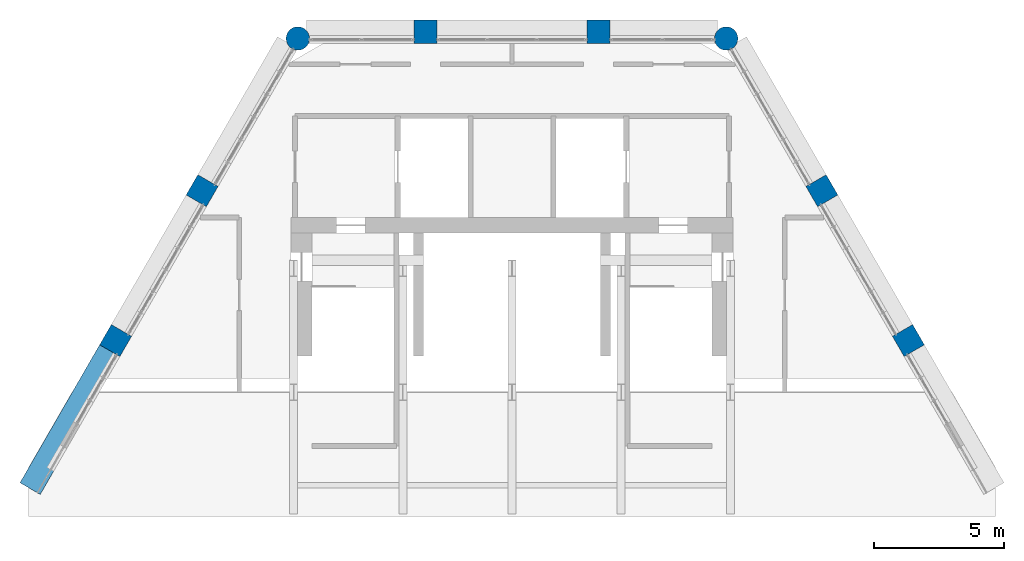
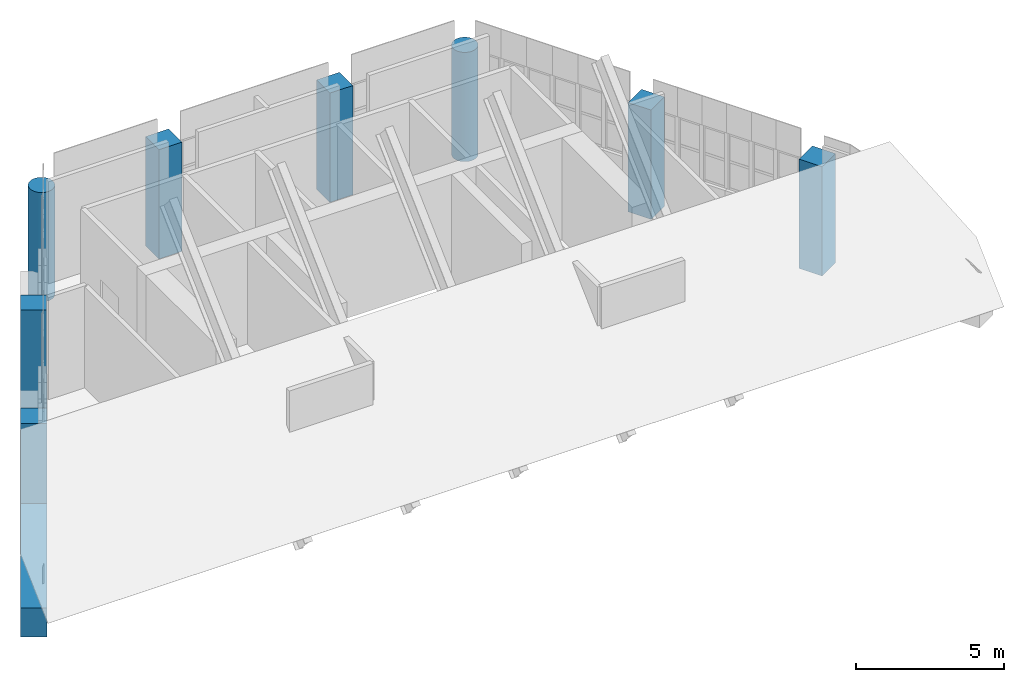
# One storey, part 1 of 16: 8 columns, 1 beam.
"""IFC4 building model written with IfcOpenShell, lengths in metres."""

from ifc_helpers import new_model, si_unit, direction, frame, origin, origin_2d, place, context, subcontext, project, spatial, rectangle, circle, extrude, material, material_profile, profile_set, type_object, element, save


model = new_model("IFC4")

# Units and contexts
model_context = context("Model", 3, precision=1e-05, world=origin(), true_north=direction((0.0, 1.0)))
body_context = subcontext(model_context, "Body", "Model", "MODEL_VIEW")
ifc_project = project(units=[si_unit("LENGTHUNIT", "METRE"), si_unit("AREAUNIT", "SQUARE_METRE"), si_unit("VOLUMEUNIT", "CUBIC_METRE"), si_unit("PLANEANGLEUNIT", "RADIAN"), si_unit("MASSUNIT", "GRAM", prefix="KILO")], contexts=[model_context])

# Site, building, storey
site_placement = place(None, origin())
site = spatial("IfcSite", under=ifc_project, at=site_placement, CompositionType="ELEMENT")
building_placement = place(site_placement, origin())
building = spatial("IfcBuilding", under=site, at=building_placement, Name="Ostrander Bayou Hotel Tower", CompositionType="ELEMENT")
storey_placement = place(building_placement, frame((0.0, 0.0, 288.5)))
storey = spatial("IfcBuildingStorey", under=building, at=storey_placement, Name="L71", CompositionType="ELEMENT", Elevation=288.5)

# Columns
ifc_material_1 = material(Name="Concrete f'c 60 MPa", Category="concrete")
ifc_material_profile_1 = material_profile(ifc_material_1, circle(Radius=0.449951171875, at=origin_2d()))
ifc_profile_set_1 = profile_set([ifc_material_profile_1], Name="Concrete f'c 60 MPa")
column_type_1 = type_object("IfcColumnType", Name="C7 round column 900 mm f'c 60 MPa", PredefinedType="COLUMN", material=ifc_profile_set_1)
for number, where, z_axis, x_axis, name in (
    (1, (-8.2421875, 16.588623046875, -1.199951171875), (0.0, 0.0, 1.0), (1.0, 0.0, 0.0), "C7 L71 K0"),
    (2, (8.2421875, 16.588623046875, -1.199951171875), (0.0, 0.0, 1.0), (1.0, 0.0, 0.0), "C7 L71 K5"),
):
    element("IfcColumn", number, at=place(storey_placement, frame(where, z_axis=z_axis, x_axis=x_axis)), inside=storey, type_object=column_type_1, Name=name, PredefinedType="COLUMN", context=body_context, shape_type="SweptSolid", body=[
        extrude(circle(Radius=0.449951171875, at=origin_2d()), origin(), (0.0, 0.0, 1.0), 4.5),
    ])
ifc_material_2 = material(Name="Concrete f'c 60 MPa", Category="concrete")
ifc_material_profile_2 = material_profile(ifc_material_2, rectangle(XDim=0.89990234375, YDim=0.89990234375, at=origin_2d()))
ifc_profile_set_2 = profile_set([ifc_material_profile_2], Name="Concrete f'c 60 MPa")
column_type_2 = type_object("IfcColumnType", Name="C8 square column 900 x 900 mm f'c 60 MPa", PredefinedType="COLUMN", material=ifc_profile_set_2)
for number, where, z_axis, x_axis, name in (
    (3, (3.329345703125, 16.85009765625, -1.199951171875), (0.0, 0.0, 1.0), (1.0, 0.0, 0.0), "C8 L71 N1"),
    (4, (-3.329345703125, 16.85009765625, -1.199951171875), (0.0, 0.0, 1.0), (1.0, 0.0, 0.0), "C8 L71 N2"),
    (5, (-11.92626953125, 10.72998046875, -1.199951171875), (0.0, 0.0, 1.0), (0.5, 0.866025403784, 0.0), "C8 L71 NW1"),
    (6, (-15.255615234375, 4.96337890625, -1.199951171875), (0.0, 0.0, 1.0), (0.5, 0.866025403784, 0.0), "C8 L71 NW2"),
    (7, (15.255615234375, 4.96337890625, -1.199951171875), (0.0, 0.0, 1.0), (0.5, -0.866025403784, 0.0), "C8 L71 NE1"),
    (8, (11.92626953125, 10.72998046875, -1.199951171875), (0.0, 0.0, 1.0), (0.5, -0.866025403784, 0.0), "C8 L71 NE2"),
):
    element("IfcColumn", number, at=place(storey_placement, frame(where, z_axis=z_axis, x_axis=x_axis)), inside=storey, type_object=column_type_2, Name=name, PredefinedType="COLUMN", context=body_context, shape_type="SweptSolid", body=[
        extrude(rectangle(XDim=0.89990234375, YDim=0.89990234375, at=origin_2d()), origin(), (0.0, 0.0, 1.0), 4.5),
    ])

# Beam
ifc_material_3 = material(Name="Concrete f'c 60 MPa", Category="concrete")
ifc_material_profile_3 = material_profile(ifc_material_3, rectangle(XDim=0.89990234375, YDim=1.199951171875, at=origin_2d()))
ifc_profile_set_3 = profile_set([ifc_material_profile_3], Name="Concrete f'c 60 MPa")
beam_type = type_object("IfcBeamType", Name="SP4 spandrel beam 900 x 1200 mm f'c 60 MPa", PredefinedType="SPANDREL", material=ifc_profile_set_3)
beam_placement = place(storey_placement, frame((-15.4658203125, 4.599609375, -0.60009765625), z_axis=(-0.499984362083, -0.866034432152, 0.0), x_axis=(0.866034432152, -0.499984362083, 0.0)))
element("IfcBeam", 9, at=beam_placement, inside=storey, type_object=beam_type, Name="SP4 L71 NW-3", PredefinedType="SPANDREL", context=body_context, shape_type="SweptSolid", body=[
    extrude(rectangle(XDim=0.89990234375, YDim=1.199951171875, at=origin_2d()), origin(), (0.0, 0.0, 1.0), 6.159423828125),
])

save(model, "model.ifc")
